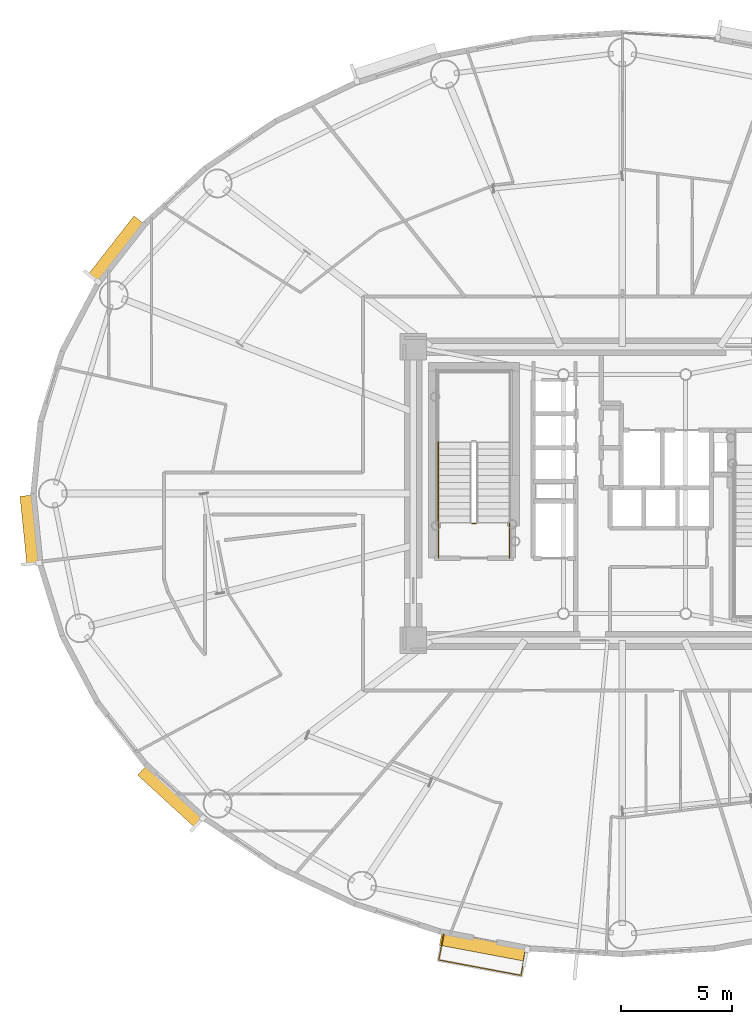
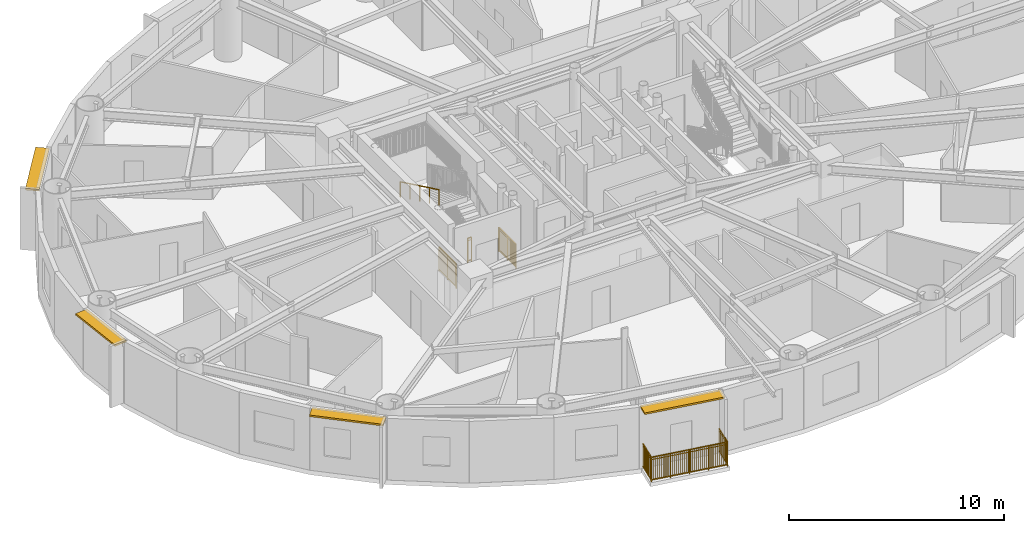
# One storey, part 14 of 19: 5 railings, 4 shading devices.
"""IFC4 building model written with IfcOpenShell, lengths in metres."""

import ifcopenshell
import ifcopenshell.guid

model = None  # the IFC model being written
_history = None  # IfcOwnerHistory: only IFC2X3 demands one
_inside = {}  # id of a spatial element -> (the spatial element, [elements in it])
_under = {}  # id of a project, library or spatial element -> (it, [spatial elements below it])
_declared = {}  # id of a project -> (the project, [libraries it declares])
_typed = {}  # id of a type object -> (the type object, [elements of that type])
_made_of = {}  # id of a material, layer set ... -> (it, [elements and type objects made of it])


def new_model(schema):
    """Start an empty IFC model of exactly this schema.

    Asked for "IFC4X3", IfcOpenShell would pick the latest addendum, in which some entities
    have other attributes; the version numbers below select the first issue.
    IFC2X3 requires an IfcOwnerHistory on every rooted entity: one is made here for all.
    """
    global model, _history
    if schema == "IFC4X3":
        model = ifcopenshell.file(schema_version=(4, 3, 0, 0))
    else:
        model = ifcopenshell.file(schema=schema)
    _inside.clear()
    _under.clear()
    _declared.clear()
    _typed.clear()
    _made_of.clear()
    _history = None
    if model.schema == "IFC2X3":
        org = make("IfcOrganization", Name="unknown")
        user = make(
            "IfcPersonAndOrganization",
            ThePerson=make("IfcPerson", FamilyName="unknown"),
            TheOrganization=org,
        )
        app = make(
            "IfcApplication",
            ApplicationDeveloper=org,
            Version="unknown",
            ApplicationFullName="unknown",
            ApplicationIdentifier="unknown",
        )
        _history = make(
            "IfcOwnerHistory",
            OwningUser=user,
            OwningApplication=app,
            ChangeAction="ADDED",
            CreationDate=0,
        )
    return model


def make(cls, **values):
    """One entity of the class cls with the attributes given. An attribute that is None is left unset."""
    return model.create_entity(
        cls, **{name: value for name, value in values.items() if value is not None}
    )


def rooted(cls, **values):
    """An entity with a GlobalId (a new one), such as an element, a storey or a relation."""
    return make(cls, GlobalId=ifcopenshell.guid.new(), OwnerHistory=_history, **values)


def si_unit(unit_type, name, prefix=None):
    """IfcSIUnit, for example si_unit("LENGTHUNIT", "METRE", prefix="MILLI")."""
    return make("IfcSIUnit", UnitType=unit_type, Prefix=prefix, Name=name)


def assignment(units):
    """IfcUnitAssignment: the units of a project."""
    return None if units is None else make("IfcUnitAssignment", Units=units)


def point(xyz):
    """IfcCartesianPoint."""
    return None if xyz is None else make("IfcCartesianPoint", Coordinates=xyz)


def direction(xyz):
    """IfcDirection."""
    return None if xyz is None else make("IfcDirection", DirectionRatios=xyz)


def frame(location, z_axis=None, x_axis=None):
    """IfcAxis2Placement3D, a coordinate frame: its origin and axes. An axis left out is left unset."""
    return make(
        "IfcAxis2Placement3D",
        Location=point(location),
        Axis=direction(z_axis),
        RefDirection=direction(x_axis),
    )


def frame_2d(location, x_axis=None):
    """IfcAxis2Placement2D, a coordinate frame in the plane: its origin and x axis."""
    return make(
        "IfcAxis2Placement2D", Location=point(location), RefDirection=direction(x_axis)
    )


def origin():
    """The frame at (0, 0, 0) with its axes left unset."""
    return frame((0.0, 0.0, 0.0))


def origin_2d():
    """The frame at (0, 0) in the plane with its x axis left unset."""
    return frame_2d((0.0, 0.0))


def place(relative_to, where):
    """IfcLocalPlacement: puts the frame where relative to a parent placement (None: the world)."""
    return make(
        "IfcLocalPlacement", PlacementRelTo=relative_to, RelativePlacement=where
    )


def context(
    kind, dimensions, precision=None, world=None, true_north=None, identifier=None
):
    """IfcGeometricRepresentationContext, for example the 3D "Model" context."""
    return make(
        "IfcGeometricRepresentationContext",
        ContextIdentifier=identifier,
        ContextType=kind,
        CoordinateSpaceDimension=dimensions,
        Precision=precision,
        WorldCoordinateSystem=world,
        TrueNorth=true_north,
    )


def subcontext(parent, identifier, kind, view, scale=None):
    """IfcGeometricRepresentationSubContext, for example "Body" below "Model"."""
    return make(
        "IfcGeometricRepresentationSubContext",
        ContextIdentifier=identifier,
        ContextType=kind,
        ParentContext=parent,
        TargetScale=scale,
        TargetView=view,
    )


def project(units=None, contexts=None):
    """IfcProject with its units and contexts."""
    return rooted(
        "IfcProject",
        Name="project",
        RepresentationContexts=contexts,
        UnitsInContext=assignment(units),
    )


def spatial(cls, under=None, at=None, **own):
    """A site, building, storey or space (cls), placed at a placement, below another one or the project."""
    s = rooted(cls, ObjectPlacement=at, **own)
    if under is not None:
        _under.setdefault(under.id(), (under, []))[1].append(s)
    return s


def profile(cls, at=None, kind="AREA", **sizes):
    """A parametric profile (cls). Its sizes go by their IFC names, for example OverallWidth=200.0."""
    return make(cls, ProfileType=kind, Position=at, **sizes)


def rectangle(**sizes):
    """IfcRectangleProfileDef."""
    return profile("IfcRectangleProfileDef", **sizes)


def extrude(swept, where, along, depth):
    """IfcExtrudedAreaSolid: the profile swept, set in the frame where, extruded along a direction by depth."""
    return make(
        "IfcExtrudedAreaSolid",
        SweptArea=swept,
        Position=where,
        ExtrudedDirection=direction(along),
        Depth=depth,
    )


def shape(context_of_items, identifier, shape_type, items):
    """IfcShapeRepresentation: the items that make up one representation, for example the "Body"."""
    return make(
        "IfcShapeRepresentation",
        ContextOfItems=context_of_items,
        RepresentationIdentifier=identifier,
        RepresentationType=shape_type,
        Items=items,
    )


def source(mapping_origin, context_of_items, identifier, shape_type, items):
    """IfcRepresentationMap: a shape defined once, which mapped items show again and again."""
    return make(
        "IfcRepresentationMap",
        MappingOrigin=mapping_origin,
        MappedRepresentation=shape(context_of_items, identifier, shape_type, items),
    )


def transform(
    local_origin,
    x_axis=None,
    y_axis=None,
    z_axis=None,
    scale=None,
    scale2=None,
    scale3=None,
    uniform=True,
):
    """IfcCartesianTransformationOperator3D, or its non-uniform kind. x_axis, y_axis, z_axis: its Axis1, 2, 3."""
    if uniform:
        return make(
            "IfcCartesianTransformationOperator3D",
            Axis1=direction(x_axis),
            Axis2=direction(y_axis),
            LocalOrigin=point(local_origin),
            Scale=scale,
            Axis3=direction(z_axis),
        )
    return make(
        "IfcCartesianTransformationOperator3DnonUniform",
        Axis1=direction(x_axis),
        Axis2=direction(y_axis),
        LocalOrigin=point(local_origin),
        Scale=scale,
        Axis3=direction(z_axis),
        Scale2=scale2,
        Scale3=scale3,
    )


def mapped(mapping_source, mapping_target):
    """IfcMappedItem: shows the shape of a source again, moved by a transform."""
    return make(
        "IfcMappedItem", MappingSource=mapping_source, MappingTarget=mapping_target
    )


def material(Name=None, Category=None):
    """IfcMaterial."""
    return make("IfcMaterial", Name=Name, Category=Category)


def layer(
    of_material, thickness, ventilated=None, Name=None, Category=None, Priority=None
):
    """IfcMaterialLayer: one layer of a wall or slab, of a material (None: an air gap)."""
    return make(
        "IfcMaterialLayer",
        Material=of_material,
        LayerThickness=thickness,
        IsVentilated=ventilated,
        Name=Name,
        Category=Category,
        Priority=Priority,
    )


def layer_set(layers, Name=None):
    """IfcMaterialLayerSet."""
    return make("IfcMaterialLayerSet", MaterialLayers=layers, LayerSetName=Name)


def made_of(thing, what):
    """Note that an element or type object is made of a material, layer set ...; save() writes the relation."""
    if what is not None:
        _made_of.setdefault(what.id(), (what, []))[1].append(thing)
    return thing


def type_object(cls, material=None, **own):
    """A type object (cls), such as IfcWallType, which elements share."""
    return made_of(rooted(cls, **own), material)


def element(
    cls,
    number,
    at=None,
    inside=None,
    cuts=None,
    type_object=None,
    material=None,
    context=None,
    identifier="Body",
    shape_type=None,
    held_by="IfcProductDefinitionShape",
    body=None,
    shapes=None,
    **own,
):
    """One element of the class cls, such as IfcWall. Its Tag is "e" and its number.

    at: its placement. inside: the storey or other place that contains it. cuts: it is an
    opening in that element (IfcRelVoidsElement). A single representation is given by context,
    identifier, shape_type and body (its items); several are given by shapes. held_by: the class
    of the entity that holds the representations. save() writes the other relations.
    """
    e = rooted(cls, Tag="e%d" % number, ObjectPlacement=at, **own)
    if body is not None:
        shapes = [shape(context, identifier, shape_type, body)]
    if shapes is not None:
        e.Representation = make(held_by, Representations=shapes)
    if inside is not None:
        _inside.setdefault(inside.id(), (inside, []))[1].append(e)
    if cuts is not None:
        rooted(
            "IfcRelVoidsElement", RelatingBuildingElement=cuts, RelatedOpeningElement=e
        )
    if type_object is not None:
        _typed.setdefault(type_object.id(), (type_object, []))[1].append(e)
    return made_of(e, material)


def aggregate(whole, parts):
    """IfcRelAggregates: a whole, such as a stair, and the parts it consists of."""
    return rooted("IfcRelAggregates", RelatingObject=whole, RelatedObjects=parts)


def save(model, path):
    """Write the relations noted so far, then the file.

    IfcRelAggregates (storeys below a building ...), IfcRelContainedInSpatialStructure (elements
    in a storey), IfcRelDefinesByType, IfcRelAssociatesMaterial and IfcRelDeclares: one each for
    every whole, place, type object, material and project.
    """
    for whole, parts in _under.values():
        aggregate(whole, parts)
    for where, things in _inside.values():
        rooted(
            "IfcRelContainedInSpatialStructure",
            RelatedElements=things,
            RelatingStructure=where,
        )
    for kind, things in _typed.values():
        rooted("IfcRelDefinesByType", RelatedObjects=things, RelatingType=kind)
    for what, things in _made_of.values():
        rooted("IfcRelAssociatesMaterial", RelatedObjects=things, RelatingMaterial=what)
    for by, libraries in _declared.values():
        rooted("IfcRelDeclares", RelatingContext=by, RelatedDefinitions=libraries)
    model.write(path)


model = new_model("IFC4")

# Units and contexts
model_context = context("Model", 3, precision=1e-05, world=origin(), true_north=direction((0.0, 1.0)))
body_context = subcontext(model_context, "Body", "Model", "MODEL_VIEW")
ifc_project = project(units=[si_unit("LENGTHUNIT", "METRE"), si_unit("AREAUNIT", "SQUARE_METRE"), si_unit("VOLUMEUNIT", "CUBIC_METRE"), si_unit("PLANEANGLEUNIT", "RADIAN"), si_unit("MASSUNIT", "GRAM", prefix="KILO")], contexts=[model_context])

# Site, building, storey
site_placement = place(None, origin())
site = spatial("IfcSite", under=ifc_project, at=site_placement, CompositionType="ELEMENT")
building_placement = place(site_placement, origin())
building = spatial("IfcBuilding", under=site, at=building_placement, Name="Linh Dai School and Residence Tower", CompositionType="ELEMENT")
storey_placement = place(building_placement, frame((0.0, 0.0, 174.89990234375)))
storey = spatial("IfcBuildingStorey", under=building, at=storey_placement, Name="L42", CompositionType="ELEMENT", Elevation=174.89990234375)

# Shading devices
ifc_material_1 = material(Name="Terracotta Ceramic Sunshade", Category="masonry")
ifc_layer = layer(ifc_material_1, 0.10009765625)
ifc_layer_set = layer_set([ifc_layer], Name="Terracotta Ceramic Sunshade")
shading_device_type = type_object("IfcShadingDeviceType", Name="SHD-TC-650", PredefinedType="USERDEFINED", material=ifc_layer_set)
shared_shape_1 = source(origin(), body_context, "Body", "SweptSolid", [
    extrude(rectangle(XDim=3.1201171875, YDim=0.64990234375, at=origin_2d()), origin(), (0.0, 0.0, 1.0), 0.10009765625),
])
shading_device_1_placement = place(storey_placement, frame((9.40380859375, 25.354736328125, 3.380126953125), z_axis=(0.0, 0.0, 1.0), x_axis=(-0.100001796141, 0.994987256586, 0.0)))
element("IfcShadingDevice", 1, at=shading_device_1_placement, inside=storey, type_object=shading_device_type, Name="L42 Terracotta Horizontal Sunshade Band 21", ObjectType="SUNSHADE", PredefinedType="USERDEFINED", context=body_context, shape_type="MappedRepresentation", body=[
    mapped(shared_shape_1, transform((0.0, 0.0, 0.0), x_axis=(1.0, 0.0, 0.0), y_axis=(0.0, 1.0, 0.0), z_axis=(0.0, 0.0, 1.0), scale=1.0)),
])
shared_shape_2 = source(origin(), body_context, "Body", "SweptSolid", [
    extrude(rectangle(XDim=3.51171875, YDim=0.64990234375, at=origin_2d()), origin(), (0.0, 0.0, 1.0), 0.10009765625),
])
shading_device_2_placement = place(storey_placement, frame((15.727294921875, 13.395263671875, 3.380126953125), z_axis=(0.0, 0.0, 1.0), x_axis=(-0.737085029426, 0.67580001435, 0.0)))
element("IfcShadingDevice", 2, at=shading_device_2_placement, inside=storey, type_object=shading_device_type, Name="L42 Terracotta Horizontal Sunshade Band 25", ObjectType="SUNSHADE", PredefinedType="USERDEFINED", context=body_context, shape_type="MappedRepresentation", body=[
    mapped(shared_shape_2, transform((0.0, 0.0, 0.0), x_axis=(1.0, 0.0, 0.0), y_axis=(0.0, 1.0, 0.0), z_axis=(0.0, 0.0, 1.0), scale=1.0)),
])
shared_shape_3 = source(origin(), body_context, "Body", "SweptSolid", [
    extrude(rectangle(XDim=3.949462890625, YDim=0.64990234375, at=origin_2d()), origin(), (0.0, 0.0, 1.0), 0.10009765625),
])
shading_device_3_placement = place(storey_placement, frame((29.780029296875, 6.650390625, 3.380126953125), z_axis=(0.0, 0.0, 1.0), x_axis=(-0.982783192645, 0.184762540184, 0.0)))
element("IfcShadingDevice", 3, at=shading_device_3_placement, inside=storey, type_object=shading_device_type, Name="L42 Terracotta Horizontal Sunshade Band 29", ObjectType="SUNSHADE", PredefinedType="USERDEFINED", context=body_context, shape_type="MappedRepresentation", body=[
    mapped(shared_shape_3, transform((0.0, 0.0, 0.0), x_axis=(1.0, 0.0, 0.0), y_axis=(0.0, 1.0, 0.0), z_axis=(0.0, 0.0, 1.0), scale=1.0)),
])
shared_shape_4 = source(origin(), body_context, "Body", "SweptSolid", [
    extrude(rectangle(XDim=3.376708984375, YDim=0.64990234375, at=origin_2d()), origin(), (0.0, 0.0, 1.0), 0.10009765625),
])
shading_device_4_placement = place(storey_placement, frame((13.263427734375, 37.94921875, 3.380126953125), z_axis=(0.0, 0.0, 1.0), x_axis=(0.616286337798, 0.787522158319, 0.0)))
element("IfcShadingDevice", 4, at=shading_device_4_placement, inside=storey, type_object=shading_device_type, Name="L42 Terracotta Horizontal Sunshade Band 17", ObjectType="SUNSHADE", PredefinedType="USERDEFINED", context=body_context, shape_type="MappedRepresentation", body=[
    mapped(shared_shape_4, transform((0.0, 0.0, 0.0), x_axis=(1.0, 0.0, 0.0), y_axis=(0.0, 1.0, 0.0), z_axis=(0.0, 0.0, 1.0), scale=1.0)),
])

# Railings
ifc_material_2 = material(Name="Structural Steel S355JR", Category="steel")
railing_type_1 = type_object("IfcRailingType", Name="RL-BAL-1400", PredefinedType="BALUSTRADE", material=ifc_material_2)
shared_shape_5 = source(origin(), body_context, "Body", "SweptSolid", [
    extrude(rectangle(XDim=0.048095703125, YDim=0.048095703125, at=origin_2d()), frame((0.0, 0.0, 1.3759765625), z_axis=(-0.18476321632, -0.982783065531, 0.0), x_axis=(0.982783065531, -0.18476321632, 0.0)), (0.0, 0.0, 1.0), 1.179931640625),
    extrude(rectangle(XDim=0.048095703125, YDim=0.048095703125, at=origin_2d()), frame((0.0, 0.0, 0.10009765625), z_axis=(-0.18476321632, -0.982783065531, 0.0), x_axis=(0.982783065531, -0.18476321632, 0.0)), (0.0, 0.0, 1.0), 1.179931640625),
    extrude(rectangle(XDim=0.030029296875, YDim=0.030029296875, at=origin_2d()), frame((0.0, 0.0, 1.239990234375), z_axis=(-0.18476321632, -0.982783065531, 0.0), x_axis=(0.982783065531, -0.18476321632, 0.0)), (0.0, 0.0, 1.0), 1.179931640625),
    extrude(rectangle(XDim=0.02001953125, YDim=0.02001953125, at=origin_2d()), frame((-0.016845703125, -0.089111328125, 0.10009765625)), (0.0, 0.0, 1.0), 1.251708984375),
    extrude(rectangle(XDim=0.02001953125, YDim=0.02001953125, at=origin_2d()), frame((-0.033447265625, -0.178466796875, 0.10009765625)), (0.0, 0.0, 1.0), 1.251708984375),
    extrude(rectangle(XDim=0.02001953125, YDim=0.02001953125, at=origin_2d()), frame((-0.05029296875, -0.267578125, 0.10009765625)), (0.0, 0.0, 1.0), 1.251708984375),
    extrude(rectangle(XDim=0.02001953125, YDim=0.02001953125, at=origin_2d()), frame((-0.067138671875, -0.35693359375, 0.10009765625)), (0.0, 0.0, 1.0), 1.251708984375),
    extrude(rectangle(XDim=0.02001953125, YDim=0.02001953125, at=origin_2d()), frame((-0.083740234375, -0.446044921875, 0.10009765625)), (0.0, 0.0, 1.0), 1.251708984375),
    extrude(rectangle(XDim=0.02001953125, YDim=0.02001953125, at=origin_2d()), frame((-0.1005859375, -0.53515625, 0.10009765625)), (0.0, 0.0, 1.0), 1.251708984375),
    extrude(rectangle(XDim=0.02001953125, YDim=0.02001953125, at=origin_2d()), frame((-0.117431640625, -0.62451171875, 0.10009765625)), (0.0, 0.0, 1.0), 1.251708984375),
    extrude(rectangle(XDim=0.02001953125, YDim=0.02001953125, at=origin_2d()), frame((-0.13427734375, -0.713623046875, 0.10009765625)), (0.0, 0.0, 1.0), 1.251708984375),
    extrude(rectangle(XDim=0.02001953125, YDim=0.02001953125, at=origin_2d()), frame((-0.15087890625, -0.802734375, 0.10009765625)), (0.0, 0.0, 1.0), 1.251708984375),
    extrude(rectangle(XDim=0.02001953125, YDim=0.02001953125, at=origin_2d()), frame((-0.167724609375, -0.89208984375, 0.10009765625)), (0.0, 0.0, 1.0), 1.251708984375),
    extrude(rectangle(XDim=0.02001953125, YDim=0.02001953125, at=origin_2d()), frame((-0.1845703125, -0.981201171875, 0.10009765625)), (0.0, 0.0, 1.0), 1.251708984375),
    extrude(rectangle(XDim=0.02001953125, YDim=0.02001953125, at=origin_2d()), frame((-0.201171875, -1.070556640625, 0.10009765625)), (0.0, 0.0, 1.0), 1.251708984375),
    extrude(rectangle(XDim=0.048095703125, YDim=0.048095703125, at=origin_2d()), frame((-0.218017578125, -1.15966796875, 1.3759765625), z_axis=(-0.982783726823, 0.184759698776, 0.0), x_axis=(-0.184759698776, -0.982783726823, 0.0)), (0.0, 0.0, 1.0), 3.754150390625),
    extrude(rectangle(XDim=0.048095703125, YDim=0.048095703125, at=origin_2d()), frame((-0.218017578125, -1.15966796875, 0.10009765625), z_axis=(-0.982783726823, 0.184759698776, 0.0), x_axis=(-0.184759698776, -0.982783726823, 0.0)), (0.0, 0.0, 1.0), 3.754150390625),
    extrude(rectangle(XDim=0.030029296875, YDim=0.030029296875, at=origin_2d()), frame((-0.218017578125, -1.15966796875, 1.239990234375), z_axis=(-0.982783726823, 0.184759698776, 0.0), x_axis=(-0.184759698776, -0.982783726823, 0.0)), (0.0, 0.0, 1.0), 3.754150390625),
    extrude(rectangle(XDim=0.02001953125, YDim=0.02001953125, at=origin_2d()), frame((-0.3125, -1.141845703125, 0.10009765625)), (0.0, 0.0, 1.0), 1.251708984375),
    extrude(rectangle(XDim=0.02001953125, YDim=0.02001953125, at=origin_2d()), frame((-0.4072265625, -1.1240234375, 0.10009765625)), (0.0, 0.0, 1.0), 1.251708984375),
    extrude(rectangle(XDim=0.02001953125, YDim=0.02001953125, at=origin_2d()), frame((-0.501708984375, -1.106201171875, 0.10009765625)), (0.0, 0.0, 1.0), 1.251708984375),
    extrude(rectangle(XDim=0.02001953125, YDim=0.02001953125, at=origin_2d()), frame((-0.596435546875, -1.088623046875, 0.10009765625)), (0.0, 0.0, 1.0), 1.251708984375),
    extrude(rectangle(XDim=0.02001953125, YDim=0.02001953125, at=origin_2d()), frame((-0.69091796875, -1.07080078125, 0.10009765625)), (0.0, 0.0, 1.0), 1.251708984375),
    extrude(rectangle(XDim=0.02001953125, YDim=0.02001953125, at=origin_2d()), frame((-0.78564453125, -1.052978515625, 0.10009765625)), (0.0, 0.0, 1.0), 1.251708984375),
    extrude(rectangle(XDim=0.02001953125, YDim=0.02001953125, at=origin_2d()), frame((-0.880126953125, -1.03515625, 0.10009765625)), (0.0, 0.0, 1.0), 1.251708984375),
    extrude(rectangle(XDim=0.02001953125, YDim=0.02001953125, at=origin_2d()), frame((-0.974853515625, -1.017333984375, 0.10009765625)), (0.0, 0.0, 1.0), 1.251708984375),
    extrude(rectangle(XDim=0.02001953125, YDim=0.02001953125, at=origin_2d()), frame((-1.0693359375, -0.99951171875, 0.10009765625)), (0.0, 0.0, 1.0), 1.251708984375),
    extrude(rectangle(XDim=0.02001953125, YDim=0.02001953125, at=origin_2d()), frame((-1.258544921875, -0.964111328125, 0.10009765625)), (0.0, 0.0, 1.0), 1.251708984375),
    extrude(rectangle(XDim=0.02001953125, YDim=0.02001953125, at=origin_2d()), frame((-1.353271484375, -0.9462890625, 0.10009765625)), (0.0, 0.0, 1.0), 1.251708984375),
    extrude(rectangle(XDim=0.02001953125, YDim=0.02001953125, at=origin_2d()), frame((-1.44775390625, -0.928466796875, 0.10009765625)), (0.0, 0.0, 1.0), 1.251708984375),
    extrude(rectangle(XDim=0.02001953125, YDim=0.02001953125, at=origin_2d()), frame((-1.54248046875, -0.91064453125, 0.10009765625)), (0.0, 0.0, 1.0), 1.251708984375),
    extrude(rectangle(XDim=0.02001953125, YDim=0.02001953125, at=origin_2d()), frame((-1.636962890625, -0.892822265625, 0.10009765625)), (0.0, 0.0, 1.0), 1.251708984375),
    extrude(rectangle(XDim=0.02001953125, YDim=0.02001953125, at=origin_2d()), frame((-1.731689453125, -0.875, 0.10009765625)), (0.0, 0.0, 1.0), 1.251708984375),
    extrude(rectangle(XDim=0.02001953125, YDim=0.02001953125, at=origin_2d()), frame((-1.826171875, -0.857421875, 0.10009765625)), (0.0, 0.0, 1.0), 1.251708984375),
    extrude(rectangle(XDim=0.02001953125, YDim=0.02001953125, at=origin_2d()), frame((-1.9208984375, -0.839599609375, 0.10009765625)), (0.0, 0.0, 1.0), 1.251708984375),
    extrude(rectangle(XDim=0.02001953125, YDim=0.02001953125, at=origin_2d()), frame((-2.015380859375, -0.82177734375, 0.10009765625)), (0.0, 0.0, 1.0), 1.251708984375),
    extrude(rectangle(XDim=0.02001953125, YDim=0.02001953125, at=origin_2d()), frame((-2.110107421875, -0.803955078125, 0.10009765625)), (0.0, 0.0, 1.0), 1.251708984375),
    extrude(rectangle(XDim=0.02001953125, YDim=0.02001953125, at=origin_2d()), frame((-2.20458984375, -0.7861328125, 0.10009765625)), (0.0, 0.0, 1.0), 1.251708984375),
    extrude(rectangle(XDim=0.02001953125, YDim=0.02001953125, at=origin_2d()), frame((-2.29931640625, -0.768310546875, 0.10009765625)), (0.0, 0.0, 1.0), 1.251708984375),
    extrude(rectangle(XDim=0.02001953125, YDim=0.02001953125, at=origin_2d()), frame((-2.393798828125, -0.750732421875, 0.10009765625)), (0.0, 0.0, 1.0), 1.251708984375),
    extrude(rectangle(XDim=0.02001953125, YDim=0.02001953125, at=origin_2d()), frame((-2.488525390625, -0.73291015625, 0.10009765625)), (0.0, 0.0, 1.0), 1.251708984375),
    extrude(rectangle(XDim=0.02001953125, YDim=0.02001953125, at=origin_2d()), frame((-2.5830078125, -0.715087890625, 0.10009765625)), (0.0, 0.0, 1.0), 1.251708984375),
    extrude(rectangle(XDim=0.02001953125, YDim=0.02001953125, at=origin_2d()), frame((-2.677734375, -0.697265625, 0.10009765625)), (0.0, 0.0, 1.0), 1.251708984375),
    extrude(rectangle(XDim=0.02001953125, YDim=0.02001953125, at=origin_2d()), frame((-2.772216796875, -0.679443359375, 0.10009765625)), (0.0, 0.0, 1.0), 1.251708984375),
    extrude(rectangle(XDim=0.02001953125, YDim=0.02001953125, at=origin_2d()), frame((-2.866943359375, -0.66162109375, 0.10009765625)), (0.0, 0.0, 1.0), 1.251708984375),
    extrude(rectangle(XDim=0.02001953125, YDim=0.02001953125, at=origin_2d()), frame((-3.05615234375, -0.626220703125, 0.10009765625)), (0.0, 0.0, 1.0), 1.251708984375),
    extrude(rectangle(XDim=0.02001953125, YDim=0.02001953125, at=origin_2d()), frame((-3.150634765625, -0.6083984375, 0.10009765625)), (0.0, 0.0, 1.0), 1.251708984375),
    extrude(rectangle(XDim=0.02001953125, YDim=0.02001953125, at=origin_2d()), frame((-3.245361328125, -0.590576171875, 0.10009765625)), (0.0, 0.0, 1.0), 1.251708984375),
    extrude(rectangle(XDim=0.02001953125, YDim=0.02001953125, at=origin_2d()), frame((-3.33984375, -0.57275390625, 0.10009765625)), (0.0, 0.0, 1.0), 1.251708984375),
    extrude(rectangle(XDim=0.02001953125, YDim=0.02001953125, at=origin_2d()), frame((-3.4345703125, -0.554931640625, 0.10009765625)), (0.0, 0.0, 1.0), 1.251708984375),
    extrude(rectangle(XDim=0.02001953125, YDim=0.02001953125, at=origin_2d()), frame((-3.529052734375, -0.537109375, 0.10009765625)), (0.0, 0.0, 1.0), 1.251708984375),
    extrude(rectangle(XDim=0.02001953125, YDim=0.02001953125, at=origin_2d()), frame((-3.623779296875, -0.51953125, 0.10009765625)), (0.0, 0.0, 1.0), 1.251708984375),
    extrude(rectangle(XDim=0.02001953125, YDim=0.02001953125, at=origin_2d()), frame((-3.71826171875, -0.501708984375, 0.10009765625)), (0.0, 0.0, 1.0), 1.251708984375),
    extrude(rectangle(XDim=0.02001953125, YDim=0.02001953125, at=origin_2d()), frame((-3.81298828125, -0.48388671875, 0.10009765625)), (0.0, 0.0, 1.0), 1.251708984375),
    extrude(rectangle(XDim=0.048095703125, YDim=0.048095703125, at=origin_2d()), frame((-3.907470703125, -0.466064453125, 1.3759765625), z_axis=(0.18476321632, 0.982783065531, 0.0), x_axis=(-0.982783065531, 0.18476321632, 0.0)), (0.0, 0.0, 1.0), 1.179931640625),
    extrude(rectangle(XDim=0.048095703125, YDim=0.048095703125, at=origin_2d()), frame((-3.907470703125, -0.466064453125, 0.10009765625), z_axis=(0.18476321632, 0.982783065531, 0.0), x_axis=(-0.982783065531, 0.18476321632, 0.0)), (0.0, 0.0, 1.0), 1.179931640625),
    extrude(rectangle(XDim=0.030029296875, YDim=0.030029296875, at=origin_2d()), frame((-3.907470703125, -0.466064453125, 1.239990234375), z_axis=(0.18476321632, 0.982783065531, 0.0), x_axis=(-0.982783065531, 0.18476321632, 0.0)), (0.0, 0.0, 1.0), 1.179931640625),
    extrude(rectangle(XDim=0.02001953125, YDim=0.02001953125, at=origin_2d()), frame((-3.890625, -0.376953125, 0.10009765625)), (0.0, 0.0, 1.0), 1.251708984375),
    extrude(rectangle(XDim=0.02001953125, YDim=0.02001953125, at=origin_2d()), frame((-3.8740234375, -0.28759765625, 0.10009765625)), (0.0, 0.0, 1.0), 1.251708984375),
    extrude(rectangle(XDim=0.02001953125, YDim=0.02001953125, at=origin_2d()), frame((-3.857177734375, -0.198486328125, 0.10009765625)), (0.0, 0.0, 1.0), 1.251708984375),
    extrude(rectangle(XDim=0.02001953125, YDim=0.02001953125, at=origin_2d()), frame((-3.84033203125, -0.109130859375, 0.10009765625)), (0.0, 0.0, 1.0), 1.251708984375),
    extrude(rectangle(XDim=0.02001953125, YDim=0.02001953125, at=origin_2d()), frame((-3.82373046875, -0.02001953125, 0.10009765625)), (0.0, 0.0, 1.0), 1.251708984375),
    extrude(rectangle(XDim=0.02001953125, YDim=0.02001953125, at=origin_2d()), frame((-3.806884765625, 0.069091796875, 0.10009765625)), (0.0, 0.0, 1.0), 1.251708984375),
    extrude(rectangle(XDim=0.02001953125, YDim=0.02001953125, at=origin_2d()), frame((-3.7900390625, 0.158447265625, 0.10009765625)), (0.0, 0.0, 1.0), 1.251708984375),
    extrude(rectangle(XDim=0.02001953125, YDim=0.02001953125, at=origin_2d()), frame((-3.773193359375, 0.24755859375, 0.10009765625)), (0.0, 0.0, 1.0), 1.251708984375),
    extrude(rectangle(XDim=0.02001953125, YDim=0.02001953125, at=origin_2d()), frame((-3.756591796875, 0.336669921875, 0.10009765625)), (0.0, 0.0, 1.0), 1.251708984375),
    extrude(rectangle(XDim=0.02001953125, YDim=0.02001953125, at=origin_2d()), frame((-3.73974609375, 0.426025390625, 0.10009765625)), (0.0, 0.0, 1.0), 1.251708984375),
    extrude(rectangle(XDim=0.02001953125, YDim=0.02001953125, at=origin_2d()), frame((-3.722900390625, 0.51513671875, 0.10009765625)), (0.0, 0.0, 1.0), 1.251708984375),
    extrude(rectangle(XDim=0.02001953125, YDim=0.02001953125, at=origin_2d()), frame((-3.706298828125, 0.6044921875, 0.10009765625)), (0.0, 0.0, 1.0), 1.251708984375),
    extrude(rectangle(XDim=0.0419921875, YDim=0.0419921875, at=origin_2d()), origin(), (0.0, 0.0, 1.0), 1.3759765625),
    extrude(rectangle(XDim=0.0419921875, YDim=0.0419921875, at=origin_2d()), frame((-0.218017578125, -1.15966796875, 0.0)), (0.0, 0.0, 1.0), 1.3759765625),
    extrude(rectangle(XDim=0.0419921875, YDim=0.0419921875, at=origin_2d()), frame((-1.140380859375, -0.986328125, 0.0)), (0.0, 0.0, 1.0), 1.3759765625),
    extrude(rectangle(XDim=0.0419921875, YDim=0.0419921875, at=origin_2d()), frame((-2.062744140625, -0.81298828125, 0.0)), (0.0, 0.0, 1.0), 1.3759765625),
    extrude(rectangle(XDim=0.0419921875, YDim=0.0419921875, at=origin_2d()), frame((-2.985107421875, -0.639404296875, 0.0)), (0.0, 0.0, 1.0), 1.3759765625),
    extrude(rectangle(XDim=0.0419921875, YDim=0.0419921875, at=origin_2d()), frame((-3.907470703125, -0.466064453125, 0.0)), (0.0, 0.0, 1.0), 1.3759765625),
    extrude(rectangle(XDim=0.0419921875, YDim=0.0419921875, at=origin_2d()), frame((-3.689453125, 0.693603515625, 0.0)), (0.0, 0.0, 1.0), 1.3759765625),
])
railing_1_placement = place(storey_placement, frame((31.66162109375, 6.500244140625, 0.0)))
element("IfcRailing", 5, at=railing_1_placement, inside=storey, type_object=railing_type_1, Name="L42 Balcony Safety Balustrade 29", PredefinedType="BALUSTRADE", context=body_context, shape_type="MappedRepresentation", body=[
    mapped(shared_shape_5, transform((0.0, 0.0, 0.0), x_axis=(1.0, 0.0, 0.0), y_axis=(0.0, 1.0, 0.0), z_axis=(0.0, 0.0, 1.0), scale=1.0)),
])
railing_type_2 = type_object("IfcRailingType", Name="RL-ST-GUARD-1400", PredefinedType="GUARDRAIL", material=ifc_material_2)
shared_shape_6 = source(origin(), body_context, "Body", "SweptSolid", [
    extrude(rectangle(XDim=0.048095703125, YDim=0.048095703125, at=origin_2d()), frame((0.0, 0.0, 1.3759765625), z_axis=(-1.0, 0.0, 0.0), x_axis=(0.0, -1.0, 0.0)), (0.0, 0.0, 1.0), 0.199951171875),
    extrude(rectangle(XDim=0.048095703125, YDim=0.048095703125, at=origin_2d()), frame((0.0, 0.0, 0.10009765625), z_axis=(-1.0, 0.0, 0.0), x_axis=(0.0, -1.0, 0.0)), (0.0, 0.0, 1.0), 0.199951171875),
    extrude(rectangle(XDim=0.030029296875, YDim=0.030029296875, at=origin_2d()), frame((0.0, 0.0, 1.239990234375), z_axis=(-1.0, 0.0, 0.0), x_axis=(0.0, -1.0, 0.0)), (0.0, 0.0, 1.0), 0.199951171875),
    extrude(rectangle(XDim=0.0419921875, YDim=0.0419921875, at=origin_2d()), origin(), (0.0, 0.0, 1.0), 1.3759765625),
    extrude(rectangle(XDim=0.0419921875, YDim=0.0419921875, at=origin_2d()), frame((-0.199951171875, 0.0, 0.0)), (0.0, 0.0, 1.0), 1.3759765625),
])
railing_2_placement = place(storey_placement, frame((29.429931640625, 25.64990234375, 0.0)))
element("IfcRailing", 6, at=railing_2_placement, inside=storey, type_object=railing_type_2, Name="L42 ST1 stair guard 7", PredefinedType="GUARDRAIL", context=body_context, shape_type="MappedRepresentation", body=[
    mapped(shared_shape_6, transform((0.0, 0.0, 0.0), x_axis=(1.0, 0.0, 0.0), y_axis=(0.0, 1.0, 0.0), z_axis=(0.0, 0.0, 1.0), scale=1.0)),
])
shared_shape_7 = source(origin(), body_context, "Body", "SweptSolid", [
    extrude(rectangle(XDim=0.048095703125, YDim=0.048095703125, at=origin_2d()), frame((0.0, 0.0, 1.3759765625), z_axis=(0.0, 1.0, 0.0), x_axis=(-1.0, 0.0, 0.0)), (0.0, 0.0, 1.0), 1.599853515625),
    extrude(rectangle(XDim=0.048095703125, YDim=0.048095703125, at=origin_2d()), frame((0.0, 0.0, 0.10009765625), z_axis=(0.0, 1.0, 0.0), x_axis=(-1.0, 0.0, 0.0)), (0.0, 0.0, 1.0), 1.599853515625),
    extrude(rectangle(XDim=0.030029296875, YDim=0.030029296875, at=origin_2d()), frame((0.0, 0.0, 1.239990234375), z_axis=(0.0, 1.0, 0.0), x_axis=(-1.0, 0.0, 0.0)), (0.0, 0.0, 1.0), 1.599853515625),
    extrude(rectangle(XDim=0.02001953125, YDim=0.02001953125, at=origin_2d()), frame((0.0, 0.093994140625, 0.10009765625)), (0.0, 0.0, 1.0), 1.251708984375),
    extrude(rectangle(XDim=0.02001953125, YDim=0.02001953125, at=origin_2d()), frame((0.0, 0.188232421875, 0.10009765625)), (0.0, 0.0, 1.0), 1.251708984375),
    extrude(rectangle(XDim=0.02001953125, YDim=0.02001953125, at=origin_2d()), frame((0.0, 0.2822265625, 0.10009765625)), (0.0, 0.0, 1.0), 1.251708984375),
    extrude(rectangle(XDim=0.02001953125, YDim=0.02001953125, at=origin_2d()), frame((0.0, 0.37646484375, 0.10009765625)), (0.0, 0.0, 1.0), 1.251708984375),
    extrude(rectangle(XDim=0.02001953125, YDim=0.02001953125, at=origin_2d()), frame((0.0, 0.470458984375, 0.10009765625)), (0.0, 0.0, 1.0), 1.251708984375),
    extrude(rectangle(XDim=0.02001953125, YDim=0.02001953125, at=origin_2d()), frame((0.0, 0.564697265625, 0.10009765625)), (0.0, 0.0, 1.0), 1.251708984375),
    extrude(rectangle(XDim=0.02001953125, YDim=0.02001953125, at=origin_2d()), frame((0.0, 0.65869140625, 0.10009765625)), (0.0, 0.0, 1.0), 1.251708984375),
    extrude(rectangle(XDim=0.02001953125, YDim=0.02001953125, at=origin_2d()), frame((0.0, 0.7529296875, 0.10009765625)), (0.0, 0.0, 1.0), 1.251708984375),
    extrude(rectangle(XDim=0.02001953125, YDim=0.02001953125, at=origin_2d()), frame((0.0, 0.846923828125, 0.10009765625)), (0.0, 0.0, 1.0), 1.251708984375),
    extrude(rectangle(XDim=0.02001953125, YDim=0.02001953125, at=origin_2d()), frame((0.0, 0.941162109375, 0.10009765625)), (0.0, 0.0, 1.0), 1.251708984375),
    extrude(rectangle(XDim=0.02001953125, YDim=0.02001953125, at=origin_2d()), frame((0.0, 1.03515625, 0.10009765625)), (0.0, 0.0, 1.0), 1.251708984375),
    extrude(rectangle(XDim=0.02001953125, YDim=0.02001953125, at=origin_2d()), frame((0.0, 1.12939453125, 0.10009765625)), (0.0, 0.0, 1.0), 1.251708984375),
    extrude(rectangle(XDim=0.02001953125, YDim=0.02001953125, at=origin_2d()), frame((0.0, 1.223388671875, 0.10009765625)), (0.0, 0.0, 1.0), 1.251708984375),
    extrude(rectangle(XDim=0.02001953125, YDim=0.02001953125, at=origin_2d()), frame((0.0, 1.317626953125, 0.10009765625)), (0.0, 0.0, 1.0), 1.251708984375),
    extrude(rectangle(XDim=0.02001953125, YDim=0.02001953125, at=origin_2d()), frame((0.0, 1.41162109375, 0.10009765625)), (0.0, 0.0, 1.0), 1.251708984375),
    extrude(rectangle(XDim=0.02001953125, YDim=0.02001953125, at=origin_2d()), frame((0.0, 1.505859375, 0.10009765625)), (0.0, 0.0, 1.0), 1.251708984375),
    extrude(rectangle(XDim=0.0419921875, YDim=0.0419921875, at=origin_2d()), origin(), (0.0, 0.0, 1.0), 1.3759765625),
    extrude(rectangle(XDim=0.0419921875, YDim=0.0419921875, at=origin_2d()), frame((0.0, 0.7998046875, 0.0)), (0.0, 0.0, 1.0), 1.3759765625),
    extrude(rectangle(XDim=0.0419921875, YDim=0.0419921875, at=origin_2d()), frame((0.0, 1.599853515625, 0.0)), (0.0, 0.0, 1.0), 1.3759765625),
])
for number, where, name in (
    (7, (30.929931640625, 24.10009765625, 0.0), "L42 ST1 stair guard 8"),
    (8, (27.72998046875, 24.10009765625, 0.0), "L42 ST1 stair guard 9"),
):
    element("IfcRailing", number, at=place(storey_placement, frame(where)), inside=storey, type_object=railing_type_2, Name=name, PredefinedType="GUARDRAIL", context=body_context, shape_type="MappedRepresentation", body=[
        mapped(shared_shape_7, transform((0.0, 0.0, 0.0), x_axis=(1.0, 0.0, 0.0), y_axis=(0.0, 1.0, 0.0), z_axis=(0.0, 0.0, 1.0), scale=1.0)),
    ])
ifc_material_3 = material(Name="Brushed Stainless Steel Handrail", Category="steel")
railing_type_3 = type_object("IfcRailingType", Name="RL-ST-HANDRAIL-900", PredefinedType="HANDRAIL", material=ifc_material_3)
shared_shape_8 = source(origin(), body_context, "Body", "SweptSolid", [
    extrude(rectangle(XDim=0.048095703125, YDim=0.048095703125, at=origin_2d()), frame((0.0, 0.0, 0.8759765625), z_axis=(0.0, -0.901262522062, 0.433273431364), x_axis=(1.0, 0.0, 0.0)), (0.0, 0.0, 1.0), 3.994384765625),
    extrude(rectangle(XDim=0.0419921875, YDim=0.0419921875, at=origin_2d()), origin(), (0.0, 0.0, 1.0), 0.8759765625),
    extrude(rectangle(XDim=0.0419921875, YDim=0.0419921875, at=origin_2d()), frame((0.0, -0.89990234375, 0.4326171875)), (0.0, 0.0, 1.0), 0.8759765625),
    extrude(rectangle(XDim=0.0419921875, YDim=0.0419921875, at=origin_2d()), frame((0.0, -1.800048828125, 0.865234375)), (0.0, 0.0, 1.0), 0.8759765625),
    extrude(rectangle(XDim=0.0419921875, YDim=0.0419921875, at=origin_2d()), frame((0.0, -2.7001953125, 1.298095703125)), (0.0, 0.0, 1.0), 0.8759765625),
    extrude(rectangle(XDim=0.0419921875, YDim=0.0419921875, at=origin_2d()), frame((0.0, -3.60009765625, 1.730712890625)), (0.0, 0.0, 1.0), 0.8759765625),
])
railing_3_placement = place(storey_placement, frame((27.72998046875, 29.300048828125, 2.019287109375)))
element("IfcRailing", 9, at=railing_3_placement, inside=storey, type_object=railing_type_3, Name="L42 ST1 stair handrail 2", PredefinedType="HANDRAIL", context=body_context, shape_type="MappedRepresentation", body=[
    mapped(shared_shape_8, transform((0.0, 0.0, 0.0), x_axis=(1.0, 0.0, 0.0), y_axis=(0.0, 1.0, 0.0), z_axis=(0.0, 0.0, 1.0), scale=1.0)),
])

save(model, "model.ifc")
